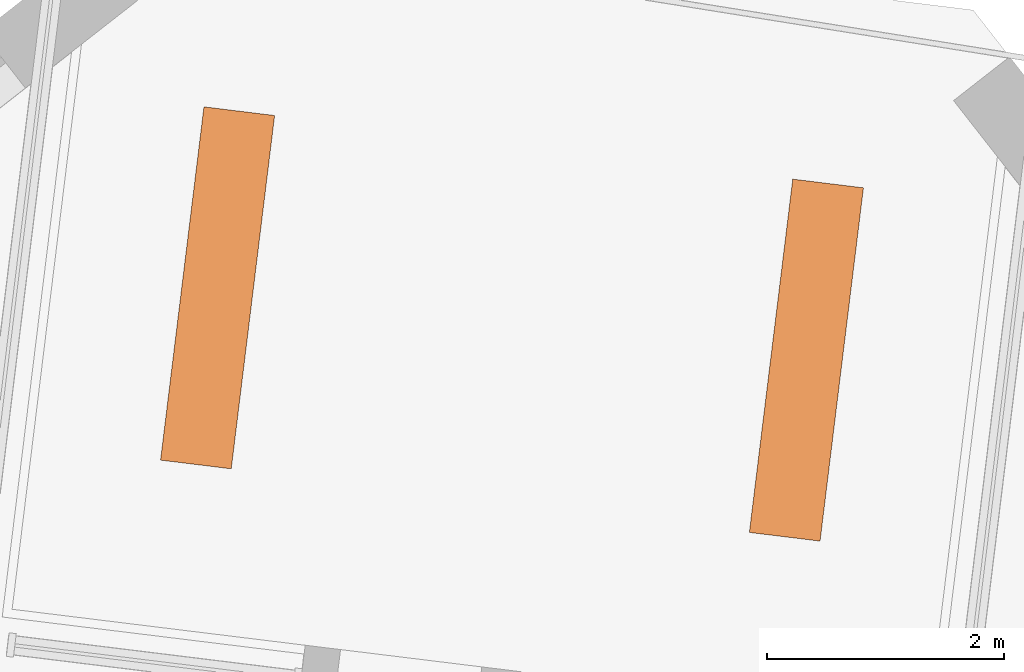
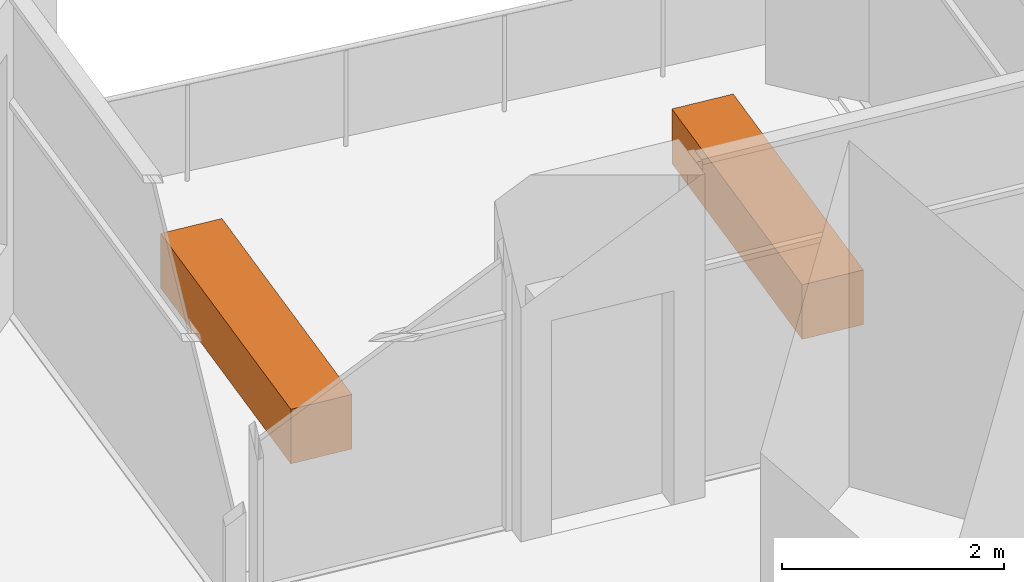
# One storey, part 11 of 11: 2 proxies.
"""IFC4 building model written with IfcOpenShell, lengths in metres."""

from ifc_helpers import new_model, si_unit, direction, frame, origin, origin_2d, place, context, subcontext, project, spatial, rectangle, extrude, element, save


model = new_model("IFC4")

# Units and contexts
model_context = context("Model", 3, precision=1e-05, world=origin(), true_north=direction((0.0, 1.0)))
body_context = subcontext(model_context, "Body", "Model", "MODEL_VIEW")
ifc_project = project(units=[si_unit("LENGTHUNIT", "METRE"), si_unit("AREAUNIT", "SQUARE_METRE"), si_unit("VOLUMEUNIT", "CUBIC_METRE"), si_unit("PLANEANGLEUNIT", "RADIAN"), si_unit("MASSUNIT", "GRAM", prefix="KILO")], contexts=[model_context])

# Site, building, storey
site_placement = place(None, origin())
site = spatial("IfcSite", under=ifc_project, at=site_placement, CompositionType="ELEMENT")
building_placement = place(site_placement, origin())
building = spatial("IfcBuilding", under=site, at=building_placement, Name="Dilmun Exchange Tower", CompositionType="ELEMENT")
storey_placement = place(building_placement, frame((0.0, 0.0, 179.699951171875)))
storey = spatial("IfcBuildingStorey", under=building, at=storey_placement, Name="L42", CompositionType="ELEMENT", Elevation=179.699951171875)

# Proxies
for number, where, z_axis, x_axis, name in (
    (1, (9.0595703125, 32.382568359375, 0.0), (0.0, 0.0, 1.0), (0.121869343405, 0.992546151641, 0.0), "PLANTER Desert shrub L42.1"),
    (2, (4.0966796875, 32.991943359375, 0.0), (0.0, 0.0, 1.0), (0.121869343405, 0.992546151641, 0.0), "PLANTER Desert shrub L42.2"),
):
    element("IfcBuildingElementProxy", number, at=place(storey_placement, frame(where, z_axis=z_axis, x_axis=x_axis)), inside=storey, Name=name, ObjectType="PLANTER", PredefinedType="USERDEFINED", context=body_context, shape_type="SweptSolid", body=[
        extrude(rectangle(XDim=3.0, YDim=0.60009765625, at=origin_2d()), origin(), (0.0, 0.0, 1.0), 0.60009765625),
    ])

save(model, "model.ifc")
